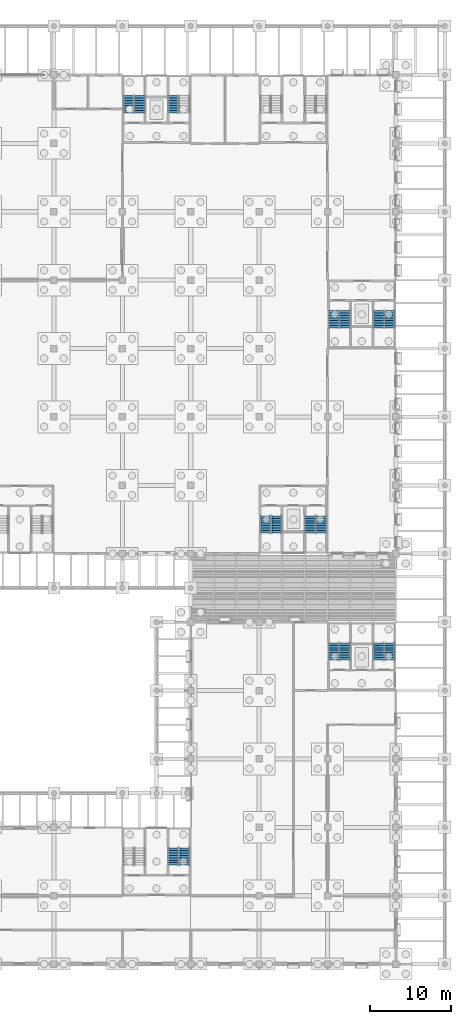
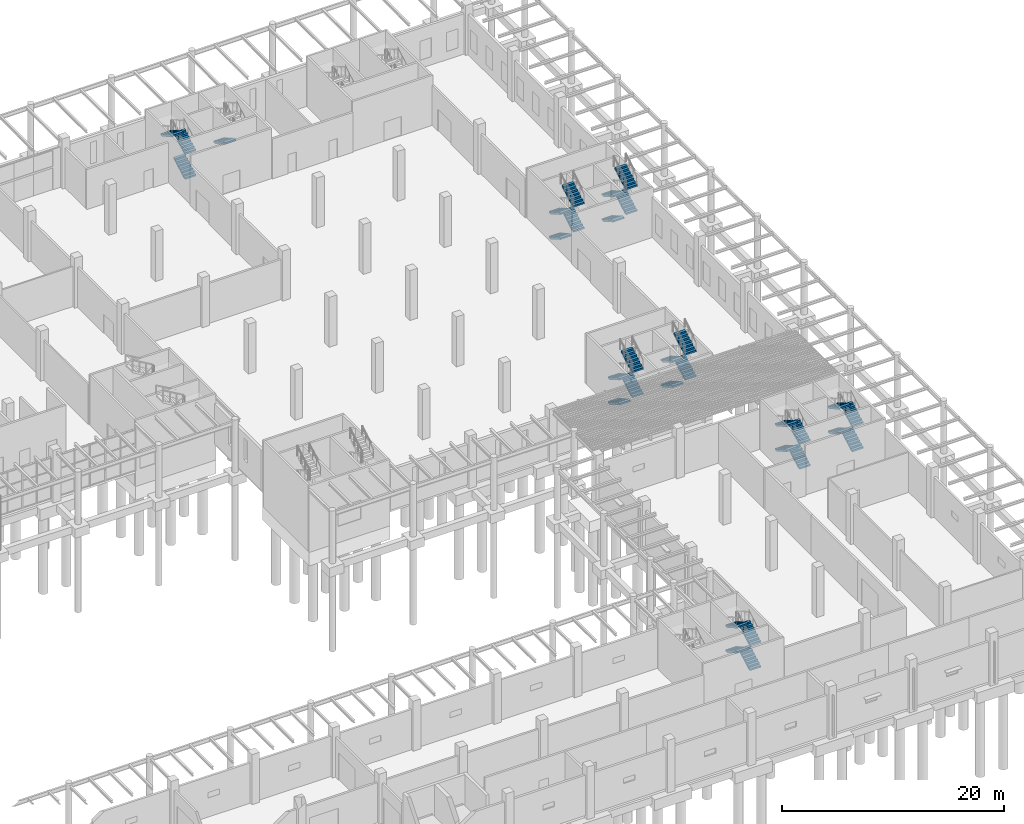
# One storey, part 47 of 82: 32 stair flights, 9 elements without a shape of their own.
"""IFC4 building model written with IfcOpenShell, lengths in metres."""

import ifcopenshell
import ifcopenshell.guid

model = None  # the IFC model being written
_history = None  # IfcOwnerHistory: only IFC2X3 demands one
_inside = {}  # id of a spatial element -> (the spatial element, [elements in it])
_under = {}  # id of a project, library or spatial element -> (it, [spatial elements below it])
_declared = {}  # id of a project -> (the project, [libraries it declares])
_typed = {}  # id of a type object -> (the type object, [elements of that type])
_made_of = {}  # id of a material, layer set ... -> (it, [elements and type objects made of it])


def new_model(schema):
    """Start an empty IFC model of exactly this schema.

    Asked for "IFC4X3", IfcOpenShell would pick the latest addendum, in which some entities
    have other attributes; the version numbers below select the first issue.
    IFC2X3 requires an IfcOwnerHistory on every rooted entity: one is made here for all.
    """
    global model, _history
    if schema == "IFC4X3":
        model = ifcopenshell.file(schema_version=(4, 3, 0, 0))
    else:
        model = ifcopenshell.file(schema=schema)
    _inside.clear()
    _under.clear()
    _declared.clear()
    _typed.clear()
    _made_of.clear()
    _history = None
    if model.schema == "IFC2X3":
        org = make("IfcOrganization", Name="unknown")
        user = make(
            "IfcPersonAndOrganization",
            ThePerson=make("IfcPerson", FamilyName="unknown"),
            TheOrganization=org,
        )
        app = make(
            "IfcApplication",
            ApplicationDeveloper=org,
            Version="unknown",
            ApplicationFullName="unknown",
            ApplicationIdentifier="unknown",
        )
        _history = make(
            "IfcOwnerHistory",
            OwningUser=user,
            OwningApplication=app,
            ChangeAction="ADDED",
            CreationDate=0,
        )
    return model


def make(cls, **values):
    """One entity of the class cls with the attributes given. An attribute that is None is left unset."""
    return model.create_entity(
        cls, **{name: value for name, value in values.items() if value is not None}
    )


def rooted(cls, **values):
    """An entity with a GlobalId (a new one), such as an element, a storey or a relation."""
    return make(cls, GlobalId=ifcopenshell.guid.new(), OwnerHistory=_history, **values)


def si_unit(unit_type, name, prefix=None):
    """IfcSIUnit, for example si_unit("LENGTHUNIT", "METRE", prefix="MILLI")."""
    return make("IfcSIUnit", UnitType=unit_type, Prefix=prefix, Name=name)


def assignment(units):
    """IfcUnitAssignment: the units of a project."""
    return None if units is None else make("IfcUnitAssignment", Units=units)


def point(xyz):
    """IfcCartesianPoint."""
    return None if xyz is None else make("IfcCartesianPoint", Coordinates=xyz)


def direction(xyz):
    """IfcDirection."""
    return None if xyz is None else make("IfcDirection", DirectionRatios=xyz)


def frame(location, z_axis=None, x_axis=None):
    """IfcAxis2Placement3D, a coordinate frame: its origin and axes. An axis left out is left unset."""
    return make(
        "IfcAxis2Placement3D",
        Location=point(location),
        Axis=direction(z_axis),
        RefDirection=direction(x_axis),
    )


def origin():
    """The frame at (0, 0, 0) with its axes left unset."""
    return frame((0.0, 0.0, 0.0))


def place(relative_to, where):
    """IfcLocalPlacement: puts the frame where relative to a parent placement (None: the world)."""
    return make(
        "IfcLocalPlacement", PlacementRelTo=relative_to, RelativePlacement=where
    )


def context(
    kind, dimensions, precision=None, world=None, true_north=None, identifier=None
):
    """IfcGeometricRepresentationContext, for example the 3D "Model" context."""
    return make(
        "IfcGeometricRepresentationContext",
        ContextIdentifier=identifier,
        ContextType=kind,
        CoordinateSpaceDimension=dimensions,
        Precision=precision,
        WorldCoordinateSystem=world,
        TrueNorth=true_north,
    )


def subcontext(parent, identifier, kind, view, scale=None):
    """IfcGeometricRepresentationSubContext, for example "Body" below "Model"."""
    return make(
        "IfcGeometricRepresentationSubContext",
        ContextIdentifier=identifier,
        ContextType=kind,
        ParentContext=parent,
        TargetScale=scale,
        TargetView=view,
    )


def project(units=None, contexts=None):
    """IfcProject with its units and contexts."""
    return rooted(
        "IfcProject",
        Name="project",
        RepresentationContexts=contexts,
        UnitsInContext=assignment(units),
    )


def spatial(cls, under=None, at=None, **own):
    """A site, building, storey or space (cls), placed at a placement, below another one or the project."""
    s = rooted(cls, ObjectPlacement=at, **own)
    if under is not None:
        _under.setdefault(under.id(), (under, []))[1].append(s)
    return s


def polyline(points):
    """IfcPolyline through the points."""
    return make("IfcPolyline", Points=[point(p) for p in points])


def outline(outer, holes=None, kind="AREA"):
    """IfcArbitraryClosedProfileDef: a profile drawn as a closed curve; with holes, ...WithVoids."""
    if holes is None:
        return make("IfcArbitraryClosedProfileDef", ProfileType=kind, OuterCurve=outer)
    return make(
        "IfcArbitraryProfileDefWithVoids",
        ProfileType=kind,
        OuterCurve=outer,
        InnerCurves=holes,
    )


def extrude(swept, where, along, depth):
    """IfcExtrudedAreaSolid: the profile swept, set in the frame where, extruded along a direction by depth."""
    return make(
        "IfcExtrudedAreaSolid",
        SweptArea=swept,
        Position=where,
        ExtrudedDirection=direction(along),
        Depth=depth,
    )


def shape(context_of_items, identifier, shape_type, items):
    """IfcShapeRepresentation: the items that make up one representation, for example the "Body"."""
    return make(
        "IfcShapeRepresentation",
        ContextOfItems=context_of_items,
        RepresentationIdentifier=identifier,
        RepresentationType=shape_type,
        Items=items,
    )


def material(Name=None, Category=None):
    """IfcMaterial."""
    return make("IfcMaterial", Name=Name, Category=Category)


def made_of(thing, what):
    """Note that an element or type object is made of a material, layer set ...; save() writes the relation."""
    if what is not None:
        _made_of.setdefault(what.id(), (what, []))[1].append(thing)
    return thing


def type_object(cls, material=None, **own):
    """A type object (cls), such as IfcWallType, which elements share."""
    return made_of(rooted(cls, **own), material)


def element(
    cls,
    number,
    at=None,
    inside=None,
    cuts=None,
    type_object=None,
    material=None,
    context=None,
    identifier="Body",
    shape_type=None,
    held_by="IfcProductDefinitionShape",
    body=None,
    shapes=None,
    **own,
):
    """One element of the class cls, such as IfcWall. Its Tag is "e" and its number.

    at: its placement. inside: the storey or other place that contains it. cuts: it is an
    opening in that element (IfcRelVoidsElement). A single representation is given by context,
    identifier, shape_type and body (its items); several are given by shapes. held_by: the class
    of the entity that holds the representations. save() writes the other relations.
    """
    e = rooted(cls, Tag="e%d" % number, ObjectPlacement=at, **own)
    if body is not None:
        shapes = [shape(context, identifier, shape_type, body)]
    if shapes is not None:
        e.Representation = make(held_by, Representations=shapes)
    if inside is not None:
        _inside.setdefault(inside.id(), (inside, []))[1].append(e)
    if cuts is not None:
        rooted(
            "IfcRelVoidsElement", RelatingBuildingElement=cuts, RelatedOpeningElement=e
        )
    if type_object is not None:
        _typed.setdefault(type_object.id(), (type_object, []))[1].append(e)
    return made_of(e, material)


def aggregate(whole, parts):
    """IfcRelAggregates: a whole, such as a stair, and the parts it consists of."""
    return rooted("IfcRelAggregates", RelatingObject=whole, RelatedObjects=parts)


def save(model, path):
    """Write the relations noted so far, then the file.

    IfcRelAggregates (storeys below a building ...), IfcRelContainedInSpatialStructure (elements
    in a storey), IfcRelDefinesByType, IfcRelAssociatesMaterial and IfcRelDeclares: one each for
    every whole, place, type object, material and project.
    """
    for whole, parts in _under.values():
        aggregate(whole, parts)
    for where, things in _inside.values():
        rooted(
            "IfcRelContainedInSpatialStructure",
            RelatedElements=things,
            RelatingStructure=where,
        )
    for kind, things in _typed.values():
        rooted("IfcRelDefinesByType", RelatedObjects=things, RelatingType=kind)
    for what, things in _made_of.values():
        rooted("IfcRelAssociatesMaterial", RelatedObjects=things, RelatingMaterial=what)
    for by, libraries in _declared.values():
        rooted("IfcRelDeclares", RelatingContext=by, RelatedDefinitions=libraries)
    model.write(path)


model = new_model("IFC4")

# Units and contexts
model_context = context("Model", 3, precision=1e-05, world=origin(), true_north=direction((0.0, 1.0)))
body_context = subcontext(model_context, "Body", "Model", "MODEL_VIEW")
ifc_project = project(units=[si_unit("LENGTHUNIT", "METRE"), si_unit("AREAUNIT", "SQUARE_METRE"), si_unit("VOLUMEUNIT", "CUBIC_METRE"), si_unit("PLANEANGLEUNIT", "RADIAN"), si_unit("MASSUNIT", "GRAM", prefix="KILO")], contexts=[model_context])

# Site, building, storey
site_placement = place(None, origin())
site = spatial("IfcSite", under=ifc_project, at=site_placement, CompositionType="ELEMENT")
building_placement = place(site_placement, origin())
building = spatial("IfcBuilding", under=site, at=building_placement, Name="Almond Square Museum", CompositionType="ELEMENT")
storey_placement = place(building_placement, origin())
storey = spatial("IfcBuildingStorey", under=building, at=storey_placement, Name="L00", CompositionType="ELEMENT", Elevation=0.0)

# Stair, stair flights
ifc_material_1 = material(Name="Concrete C40/50", Category="concrete")
stair_type = type_object("IfcStairType", Name="Exit stair 32 risers of 172 mm", PredefinedType="HALF_TURN_STAIR", material=ifc_material_1)
stair_1_placement = place(storey_placement, origin())
stair_1 = element("IfcStair", 1, at=stair_1_placement, inside=storey, type_object=stair_type, Name="L00 stair H2-1", PredefinedType="HALF_TURN_STAIR")
ifc_material_2 = material(Name="Concrete C40/50", Category="concrete")
stair_flight_type = type_object("IfcStairFlightType", Name="Concrete flight", PredefinedType="STRAIGHT", material=ifc_material_2)
stair_flight_1_placement = place(storey_placement, frame((141.175048828125, 55.050048828125, 0.0), z_axis=(0.0, 0.0, 1.0), x_axis=(0.0, -1.0, 0.0)))
stair_flight_1 = element("IfcStairFlight", 2, at=stair_flight_1_placement, type_object=stair_flight_type, Name="ST-03 flight 1", NumberOfRisers=8, NumberOfTreads=7, PredefinedType="STRAIGHT", RiserHeight=0.171875, TreadLength=0.3, context=body_context, shape_type="SweptSolid", body=[
    extrude(outline(polyline([(0.0, 0.0), (0.0, 0.171875), (0.300048828125, 0.171875), (0.300048828125, 0.34375), (0.60009765625, 0.34375), (0.60009765625, 0.515625), (0.89990234375, 0.515625), (0.89990234375, 0.6875), (1.199951171875, 0.6875), (1.199951171875, 0.859375), (1.5, 0.859375), (1.5, 1.03125), (1.800048828125, 1.03125), (1.800048828125, 1.203125), (2.10009765625, 1.203125), (2.10009765625, 1.375), (2.10009765625, 1.0302734375), (0.301513671875, 0.0), (0.0, 0.0)])), frame((0.0, 0.574951171875, 0.0), z_axis=(0.0, -1.0, 0.0), x_axis=(1.0, 0.0, 0.0)), (0.0, 0.0, 1.0), 1.14990234375),
])
stair_flight_2_placement = place(storey_placement, frame((142.52490234375, 52.949951171875, 1.375), z_axis=(0.0, 0.0, 1.0), x_axis=(0.0, 1.0, 0.0)))
stair_flight_2 = element("IfcStairFlight", 3, at=stair_flight_2_placement, type_object=stair_flight_type, Name="ST-03 flight 2", NumberOfRisers=8, NumberOfTreads=7, PredefinedType="STRAIGHT", RiserHeight=0.171875, TreadLength=0.3, context=body_context, shape_type="SweptSolid", body=[
    extrude(outline(polyline([(0.0, 0.0), (0.0, 0.171875), (0.300048828125, 0.171875), (0.300048828125, 0.34375), (0.60009765625, 0.34375), (0.60009765625, 0.515625), (0.89990234375, 0.515625), (0.89990234375, 0.6875), (1.199951171875, 0.6875), (1.199951171875, 0.859375), (1.5, 0.859375), (1.5, 1.03125), (1.800048828125, 1.03125), (1.800048828125, 1.203125), (2.10009765625, 1.203125), (2.10009765625, 1.375), (2.10009765625, 1.0302734375), (0.301513671875, 0.0), (0.0, 0.0)])), frame((0.0, 0.574951171875, 0.0), z_axis=(0.0, -1.0, 0.0), x_axis=(1.0, 0.0, 0.0)), (0.0, 0.0, 1.0), 1.14990234375),
])
stair_flight_3_placement = place(storey_placement, frame((141.175048828125, 55.050048828125, 2.75), z_axis=(0.0, 0.0, 1.0), x_axis=(0.0, -1.0, 0.0)))
stair_flight_3 = element("IfcStairFlight", 4, at=stair_flight_3_placement, type_object=stair_flight_type, Name="ST-03 flight 3", NumberOfRisers=8, NumberOfTreads=7, PredefinedType="STRAIGHT", RiserHeight=0.171875, TreadLength=0.3, context=body_context, shape_type="SweptSolid", body=[
    extrude(outline(polyline([(0.0, 0.0), (0.0, 0.171875), (0.300048828125, 0.171875), (0.300048828125, 0.34375), (0.60009765625, 0.34375), (0.60009765625, 0.515625), (0.89990234375, 0.515625), (0.89990234375, 0.6875), (1.199951171875, 0.6875), (1.199951171875, 0.859375), (1.5, 0.859375), (1.5, 1.03125), (1.800048828125, 1.03125), (1.800048828125, 1.203125), (2.10009765625, 1.203125), (2.10009765625, 1.375), (2.10009765625, 1.0302734375), (0.301513671875, 0.0), (0.0, 0.0)])), frame((0.0, 0.574951171875, 0.0), z_axis=(0.0, -1.0, 0.0), x_axis=(1.0, 0.0, 0.0)), (0.0, 0.0, 1.0), 1.14990234375),
])
stair_flight_4_placement = place(storey_placement, frame((142.52490234375, 52.949951171875, 4.125), z_axis=(0.0, 0.0, 1.0), x_axis=(0.0, 1.0, 0.0)))
stair_flight_4 = element("IfcStairFlight", 5, at=stair_flight_4_placement, type_object=stair_flight_type, Name="ST-03 flight 4", NumberOfRisers=8, NumberOfTreads=7, PredefinedType="STRAIGHT", RiserHeight=0.171875, TreadLength=0.3, context=body_context, shape_type="SweptSolid", body=[
    extrude(outline(polyline([(0.0, 0.0), (0.0, 0.171875), (0.300048828125, 0.171875), (0.300048828125, 0.34375), (0.60009765625, 0.34375), (0.60009765625, 0.515625), (0.89990234375, 0.515625), (0.89990234375, 0.6875), (1.199951171875, 0.6875), (1.199951171875, 0.859375), (1.5, 0.859375), (1.5, 1.03125), (1.800048828125, 1.03125), (1.800048828125, 1.203125), (2.10009765625, 1.203125), (2.10009765625, 1.375), (2.10009765625, 1.0302734375), (0.301513671875, 0.0), (0.0, 0.0)])), frame((0.0, 0.574951171875, 0.0), z_axis=(0.0, -1.0, 0.0), x_axis=(1.0, 0.0, 0.0)), (0.0, 0.0, 1.0), 1.14990234375),
])
aggregate(stair_1, [stair_flight_1, stair_flight_2, stair_flight_3, stair_flight_4])

stair_2_placement = place(storey_placement, origin())
stair_2 = element("IfcStair", 6, at=stair_2_placement, inside=storey, type_object=stair_type, Name="L00 stair H2-2", PredefinedType="HALF_TURN_STAIR")
stair_flight_5_placement = place(storey_placement, frame((146.675048828125, 55.050048828125, 0.0), z_axis=(0.0, 0.0, 1.0), x_axis=(0.0, -1.0, 0.0)))
stair_flight_5 = element("IfcStairFlight", 7, at=stair_flight_5_placement, type_object=stair_flight_type, Name="ST-04 flight 1", NumberOfRisers=8, NumberOfTreads=7, PredefinedType="STRAIGHT", RiserHeight=0.171875, TreadLength=0.3, context=body_context, shape_type="SweptSolid", body=[
    extrude(outline(polyline([(0.0, 0.0), (0.0, 0.171875), (0.300048828125, 0.171875), (0.300048828125, 0.34375), (0.60009765625, 0.34375), (0.60009765625, 0.515625), (0.89990234375, 0.515625), (0.89990234375, 0.6875), (1.199951171875, 0.6875), (1.199951171875, 0.859375), (1.5, 0.859375), (1.5, 1.03125), (1.800048828125, 1.03125), (1.800048828125, 1.203125), (2.10009765625, 1.203125), (2.10009765625, 1.375), (2.10009765625, 1.0302734375), (0.301513671875, 0.0), (0.0, 0.0)])), frame((0.0, 0.574951171875, 0.0), z_axis=(0.0, -1.0, 0.0), x_axis=(1.0, 0.0, 0.0)), (0.0, 0.0, 1.0), 1.14990234375),
])
stair_flight_6_placement = place(storey_placement, frame((148.02490234375, 52.949951171875, 1.375), z_axis=(0.0, 0.0, 1.0), x_axis=(0.0, 1.0, 0.0)))
stair_flight_6 = element("IfcStairFlight", 8, at=stair_flight_6_placement, type_object=stair_flight_type, Name="ST-04 flight 2", NumberOfRisers=8, NumberOfTreads=7, PredefinedType="STRAIGHT", RiserHeight=0.171875, TreadLength=0.3, context=body_context, shape_type="SweptSolid", body=[
    extrude(outline(polyline([(0.0, 0.0), (0.0, 0.171875), (0.300048828125, 0.171875), (0.300048828125, 0.34375), (0.60009765625, 0.34375), (0.60009765625, 0.515625), (0.89990234375, 0.515625), (0.89990234375, 0.6875), (1.199951171875, 0.6875), (1.199951171875, 0.859375), (1.5, 0.859375), (1.5, 1.03125), (1.800048828125, 1.03125), (1.800048828125, 1.203125), (2.10009765625, 1.203125), (2.10009765625, 1.375), (2.10009765625, 1.0302734375), (0.301513671875, 0.0), (0.0, 0.0)])), frame((0.0, 0.574951171875, 0.0), z_axis=(0.0, -1.0, 0.0), x_axis=(1.0, 0.0, 0.0)), (0.0, 0.0, 1.0), 1.14990234375),
])
stair_flight_7_placement = place(storey_placement, frame((146.675048828125, 55.050048828125, 2.75), z_axis=(0.0, 0.0, 1.0), x_axis=(0.0, -1.0, 0.0)))
stair_flight_7 = element("IfcStairFlight", 9, at=stair_flight_7_placement, type_object=stair_flight_type, Name="ST-04 flight 3", NumberOfRisers=8, NumberOfTreads=7, PredefinedType="STRAIGHT", RiserHeight=0.171875, TreadLength=0.3, context=body_context, shape_type="SweptSolid", body=[
    extrude(outline(polyline([(0.0, 0.0), (0.0, 0.171875), (0.300048828125, 0.171875), (0.300048828125, 0.34375), (0.60009765625, 0.34375), (0.60009765625, 0.515625), (0.89990234375, 0.515625), (0.89990234375, 0.6875), (1.199951171875, 0.6875), (1.199951171875, 0.859375), (1.5, 0.859375), (1.5, 1.03125), (1.800048828125, 1.03125), (1.800048828125, 1.203125), (2.10009765625, 1.203125), (2.10009765625, 1.375), (2.10009765625, 1.0302734375), (0.301513671875, 0.0), (0.0, 0.0)])), frame((0.0, 0.574951171875, 0.0), z_axis=(0.0, -1.0, 0.0), x_axis=(1.0, 0.0, 0.0)), (0.0, 0.0, 1.0), 1.14990234375),
])
stair_flight_8_placement = place(storey_placement, frame((148.02490234375, 52.949951171875, 4.125), z_axis=(0.0, 0.0, 1.0), x_axis=(0.0, 1.0, 0.0)))
stair_flight_8 = element("IfcStairFlight", 10, at=stair_flight_8_placement, type_object=stair_flight_type, Name="ST-04 flight 4", NumberOfRisers=8, NumberOfTreads=7, PredefinedType="STRAIGHT", RiserHeight=0.171875, TreadLength=0.3, context=body_context, shape_type="SweptSolid", body=[
    extrude(outline(polyline([(0.0, 0.0), (0.0, 0.171875), (0.300048828125, 0.171875), (0.300048828125, 0.34375), (0.60009765625, 0.34375), (0.60009765625, 0.515625), (0.89990234375, 0.515625), (0.89990234375, 0.6875), (1.199951171875, 0.6875), (1.199951171875, 0.859375), (1.5, 0.859375), (1.5, 1.03125), (1.800048828125, 1.03125), (1.800048828125, 1.203125), (2.10009765625, 1.203125), (2.10009765625, 1.375), (2.10009765625, 1.0302734375), (0.301513671875, 0.0), (0.0, 0.0)])), frame((0.0, 0.574951171875, 0.0), z_axis=(0.0, -1.0, 0.0), x_axis=(1.0, 0.0, 0.0)), (0.0, 0.0, 1.0), 1.14990234375),
])
aggregate(stair_2, [stair_flight_5, stair_flight_6, stair_flight_7, stair_flight_8])

stair_3_placement = place(storey_placement, origin())
stair_3 = element("IfcStair", 11, at=stair_3_placement, inside=storey, type_object=stair_type, Name="L00 stair H4-1", PredefinedType="HALF_TURN_STAIR")
stair_flight_9_placement = place(storey_placement, frame((125.72509765625, 104.550048828125, 0.0), z_axis=(0.0, 0.0, 1.0), x_axis=(0.0, 1.0, 0.0)))
stair_flight_9 = element("IfcStairFlight", 12, at=stair_flight_9_placement, type_object=stair_flight_type, Name="ST-07 flight 1", NumberOfRisers=8, NumberOfTreads=7, PredefinedType="STRAIGHT", RiserHeight=0.171875, TreadLength=0.3, context=body_context, shape_type="SweptSolid", body=[
    extrude(outline(polyline([(0.0, 0.0), (0.0, 0.171875), (0.300048828125, 0.171875), (0.300048828125, 0.34375), (0.60009765625, 0.34375), (0.60009765625, 0.515625), (0.89990234375, 0.515625), (0.89990234375, 0.6875), (1.199951171875, 0.6875), (1.199951171875, 0.859375), (1.5, 0.859375), (1.5, 1.03125), (1.800048828125, 1.03125), (1.800048828125, 1.203125), (2.10009765625, 1.203125), (2.10009765625, 1.375), (2.10009765625, 1.0302734375), (0.301513671875, 0.0), (0.0, 0.0)])), frame((0.0, 0.574951171875, 0.0), z_axis=(0.0, -1.0, 0.0), x_axis=(1.0, 0.0, 0.0)), (0.0, 0.0, 1.0), 1.14990234375),
])
stair_flight_10_placement = place(storey_placement, frame((125.72509765625, 104.550048828125, 2.75), z_axis=(0.0, 0.0, 1.0), x_axis=(0.0, 1.0, 0.0)))
stair_flight_10 = element("IfcStairFlight", 13, at=stair_flight_10_placement, type_object=stair_flight_type, Name="ST-07 flight 3", NumberOfRisers=8, NumberOfTreads=7, PredefinedType="STRAIGHT", RiserHeight=0.171875, TreadLength=0.3, context=body_context, shape_type="SweptSolid", body=[
    extrude(outline(polyline([(0.0, 0.0), (0.0, 0.171875), (0.300048828125, 0.171875), (0.300048828125, 0.34375), (0.60009765625, 0.34375), (0.60009765625, 0.515625), (0.89990234375, 0.515625), (0.89990234375, 0.6875), (1.199951171875, 0.6875), (1.199951171875, 0.859375), (1.5, 0.859375), (1.5, 1.03125), (1.800048828125, 1.03125), (1.800048828125, 1.203125), (2.10009765625, 1.203125), (2.10009765625, 1.375), (2.10009765625, 1.0302734375), (0.301513671875, 0.0), (0.0, 0.0)])), frame((0.0, 0.574951171875, 0.0), z_axis=(0.0, -1.0, 0.0), x_axis=(1.0, 0.0, 0.0)), (0.0, 0.0, 1.0), 1.14990234375),
])
stair_flight_11_placement = place(storey_placement, frame((124.375, 106.64990234375, 4.125), z_axis=(0.0, 0.0, 1.0), x_axis=(0.0, -1.0, 0.0)))
stair_flight_11 = element("IfcStairFlight", 14, at=stair_flight_11_placement, type_object=stair_flight_type, Name="ST-07 flight 4", NumberOfRisers=8, NumberOfTreads=7, PredefinedType="STRAIGHT", RiserHeight=0.171875, TreadLength=0.3, context=body_context, shape_type="SweptSolid", body=[
    extrude(outline(polyline([(0.0, 0.0), (0.0, 0.171875), (0.300048828125, 0.171875), (0.300048828125, 0.34375), (0.60009765625, 0.34375), (0.60009765625, 0.515625), (0.89990234375, 0.515625), (0.89990234375, 0.6875), (1.199951171875, 0.6875), (1.199951171875, 0.859375), (1.5, 0.859375), (1.5, 1.03125), (1.800048828125, 1.03125), (1.800048828125, 1.203125), (2.10009765625, 1.203125), (2.10009765625, 1.375), (2.10009765625, 1.0302734375), (0.301513671875, 0.0), (0.0, 0.0)])), frame((0.0, 0.574951171875, 0.0), z_axis=(0.0, -1.0, 0.0), x_axis=(1.0, 0.0, 0.0)), (0.0, 0.0, 1.0), 1.14990234375),
])
aggregate(stair_3, [stair_flight_9, stair_flight_10, stair_flight_11])

# Stair, stair flight
stair_4_placement = place(storey_placement, origin())
stair_4 = element("IfcStair", 15, at=stair_4_placement, inside=storey, type_object=stair_type, Name="L00 stair H4-2", PredefinedType="HALF_TURN_STAIR")
stair_flight_12_placement = place(storey_placement, frame((129.875, 106.64990234375, 1.375), z_axis=(0.0, 0.0, 1.0), x_axis=(0.0, -1.0, 0.0)))
stair_flight_12 = element("IfcStairFlight", 16, at=stair_flight_12_placement, type_object=stair_flight_type, Name="ST-08 flight 2", NumberOfRisers=8, NumberOfTreads=7, PredefinedType="STRAIGHT", RiserHeight=0.171875, TreadLength=0.3, context=body_context, shape_type="SweptSolid", body=[
    extrude(outline(polyline([(0.0, 0.0), (0.0, 0.171875), (0.300048828125, 0.171875), (0.300048828125, 0.34375), (0.60009765625, 0.34375), (0.60009765625, 0.515625), (0.89990234375, 0.515625), (0.89990234375, 0.6875), (1.199951171875, 0.6875), (1.199951171875, 0.859375), (1.5, 0.859375), (1.5, 1.03125), (1.800048828125, 1.03125), (1.800048828125, 1.203125), (2.10009765625, 1.203125), (2.10009765625, 1.375), (2.10009765625, 1.0302734375), (0.301513671875, 0.0), (0.0, 0.0)])), frame((0.0, 0.574951171875, 0.0), z_axis=(0.0, -1.0, 0.0), x_axis=(1.0, 0.0, 0.0)), (0.0, 0.0, 1.0), 1.14990234375),
])
aggregate(stair_4, [stair_flight_12])

# Stair, stair flights
stair_5_placement = place(storey_placement, origin())
stair_5 = element("IfcStair", 17, at=stair_5_placement, inside=storey, type_object=stair_type, Name="L00 stair E1-1", PredefinedType="HALF_TURN_STAIR")
stair_flight_13_placement = place(storey_placement, frame((149.574951171875, 80.25, 0.0), z_axis=(0.0, 0.0, 1.0), x_axis=(0.0, -1.0, 0.0)))
stair_flight_13 = element("IfcStairFlight", 18, at=stair_flight_13_placement, type_object=stair_flight_type, Name="ST-25 flight 1", NumberOfRisers=8, NumberOfTreads=7, PredefinedType="STRAIGHT", RiserHeight=0.171875, TreadLength=0.3, context=body_context, shape_type="SweptSolid", body=[
    extrude(outline(polyline([(0.0, 0.0), (0.0, 0.171875), (0.300048828125, 0.171875), (0.300048828125, 0.34375), (0.60009765625, 0.34375), (0.60009765625, 0.515625), (0.89990234375, 0.515625), (0.89990234375, 0.6875), (1.199951171875, 0.6875), (1.199951171875, 0.859375), (1.5, 0.859375), (1.5, 1.03125), (1.800048828125, 1.03125), (1.800048828125, 1.203125), (2.10009765625, 1.203125), (2.10009765625, 1.375), (2.10009765625, 1.0302734375), (0.301513671875, 0.0), (0.0, 0.0)])), frame((0.0, 0.574951171875, 0.0), z_axis=(0.0, -1.0, 0.0), x_axis=(1.0, 0.0, 0.0)), (0.0, 0.0, 1.0), 1.14990234375),
])
stair_flight_14_placement = place(storey_placement, frame((150.925048828125, 78.14990234375, 1.375), z_axis=(0.0, 0.0, 1.0), x_axis=(0.0, 1.0, 0.0)))
stair_flight_14 = element("IfcStairFlight", 19, at=stair_flight_14_placement, type_object=stair_flight_type, Name="ST-25 flight 2", NumberOfRisers=8, NumberOfTreads=7, PredefinedType="STRAIGHT", RiserHeight=0.171875, TreadLength=0.3, context=body_context, shape_type="SweptSolid", body=[
    extrude(outline(polyline([(0.0, 0.0), (0.0, 0.171875), (0.300048828125, 0.171875), (0.300048828125, 0.34375), (0.60009765625, 0.34375), (0.60009765625, 0.515625), (0.89990234375, 0.515625), (0.89990234375, 0.6875), (1.199951171875, 0.6875), (1.199951171875, 0.859375), (1.5, 0.859375), (1.5, 1.03125), (1.800048828125, 1.03125), (1.800048828125, 1.203125), (2.10009765625, 1.203125), (2.10009765625, 1.375), (2.10009765625, 1.0302734375), (0.301513671875, 0.0), (0.0, 0.0)])), frame((0.0, 0.574951171875, 0.0), z_axis=(0.0, -1.0, 0.0), x_axis=(1.0, 0.0, 0.0)), (0.0, 0.0, 1.0), 1.14990234375),
])
stair_flight_15_placement = place(storey_placement, frame((149.574951171875, 80.25, 2.75), z_axis=(0.0, 0.0, 1.0), x_axis=(0.0, -1.0, 0.0)))
stair_flight_15 = element("IfcStairFlight", 20, at=stair_flight_15_placement, type_object=stair_flight_type, Name="ST-25 flight 3", NumberOfRisers=8, NumberOfTreads=7, PredefinedType="STRAIGHT", RiserHeight=0.171875, TreadLength=0.3, context=body_context, shape_type="SweptSolid", body=[
    extrude(outline(polyline([(0.0, 0.0), (0.0, 0.171875), (0.300048828125, 0.171875), (0.300048828125, 0.34375), (0.60009765625, 0.34375), (0.60009765625, 0.515625), (0.89990234375, 0.515625), (0.89990234375, 0.6875), (1.199951171875, 0.6875), (1.199951171875, 0.859375), (1.5, 0.859375), (1.5, 1.03125), (1.800048828125, 1.03125), (1.800048828125, 1.203125), (2.10009765625, 1.203125), (2.10009765625, 1.375), (2.10009765625, 1.0302734375), (0.301513671875, 0.0), (0.0, 0.0)])), frame((0.0, 0.574951171875, 0.0), z_axis=(0.0, -1.0, 0.0), x_axis=(1.0, 0.0, 0.0)), (0.0, 0.0, 1.0), 1.14990234375),
])
stair_flight_16_placement = place(storey_placement, frame((150.925048828125, 78.14990234375, 4.125), z_axis=(0.0, 0.0, 1.0), x_axis=(0.0, 1.0, 0.0)))
stair_flight_16 = element("IfcStairFlight", 21, at=stair_flight_16_placement, type_object=stair_flight_type, Name="ST-25 flight 4", NumberOfRisers=8, NumberOfTreads=7, PredefinedType="STRAIGHT", RiserHeight=0.171875, TreadLength=0.3, context=body_context, shape_type="SweptSolid", body=[
    extrude(outline(polyline([(0.0, 0.0), (0.0, 0.171875), (0.300048828125, 0.171875), (0.300048828125, 0.34375), (0.60009765625, 0.34375), (0.60009765625, 0.515625), (0.89990234375, 0.515625), (0.89990234375, 0.6875), (1.199951171875, 0.6875), (1.199951171875, 0.859375), (1.5, 0.859375), (1.5, 1.03125), (1.800048828125, 1.03125), (1.800048828125, 1.203125), (2.10009765625, 1.203125), (2.10009765625, 1.375), (2.10009765625, 1.0302734375), (0.301513671875, 0.0), (0.0, 0.0)])), frame((0.0, 0.574951171875, 0.0), z_axis=(0.0, -1.0, 0.0), x_axis=(1.0, 0.0, 0.0)), (0.0, 0.0, 1.0), 1.14990234375),
])
aggregate(stair_5, [stair_flight_13, stair_flight_14, stair_flight_15, stair_flight_16])

stair_6_placement = place(storey_placement, origin())
stair_6 = element("IfcStair", 22, at=stair_6_placement, inside=storey, type_object=stair_type, Name="L00 stair E1-2", PredefinedType="HALF_TURN_STAIR")
stair_flight_17_placement = place(storey_placement, frame((155.074951171875, 80.25, 0.0), z_axis=(0.0, 0.0, 1.0), x_axis=(0.0, -1.0, 0.0)))
stair_flight_17 = element("IfcStairFlight", 23, at=stair_flight_17_placement, type_object=stair_flight_type, Name="ST-26 flight 1", NumberOfRisers=8, NumberOfTreads=7, PredefinedType="STRAIGHT", RiserHeight=0.171875, TreadLength=0.3, context=body_context, shape_type="SweptSolid", body=[
    extrude(outline(polyline([(0.0, 0.0), (0.0, 0.171875), (0.300048828125, 0.171875), (0.300048828125, 0.34375), (0.60009765625, 0.34375), (0.60009765625, 0.515625), (0.89990234375, 0.515625), (0.89990234375, 0.6875), (1.199951171875, 0.6875), (1.199951171875, 0.859375), (1.5, 0.859375), (1.5, 1.03125), (1.800048828125, 1.03125), (1.800048828125, 1.203125), (2.10009765625, 1.203125), (2.10009765625, 1.375), (2.10009765625, 1.0302734375), (0.301513671875, 0.0), (0.0, 0.0)])), frame((0.0, 0.574951171875, 0.0), z_axis=(0.0, -1.0, 0.0), x_axis=(1.0, 0.0, 0.0)), (0.0, 0.0, 1.0), 1.14990234375),
])
stair_flight_18_placement = place(storey_placement, frame((156.425048828125, 78.14990234375, 1.375), z_axis=(0.0, 0.0, 1.0), x_axis=(0.0, 1.0, 0.0)))
stair_flight_18 = element("IfcStairFlight", 24, at=stair_flight_18_placement, type_object=stair_flight_type, Name="ST-26 flight 2", NumberOfRisers=8, NumberOfTreads=7, PredefinedType="STRAIGHT", RiserHeight=0.171875, TreadLength=0.3, context=body_context, shape_type="SweptSolid", body=[
    extrude(outline(polyline([(0.0, 0.0), (0.0, 0.171875), (0.300048828125, 0.171875), (0.300048828125, 0.34375), (0.60009765625, 0.34375), (0.60009765625, 0.515625), (0.89990234375, 0.515625), (0.89990234375, 0.6875), (1.199951171875, 0.6875), (1.199951171875, 0.859375), (1.5, 0.859375), (1.5, 1.03125), (1.800048828125, 1.03125), (1.800048828125, 1.203125), (2.10009765625, 1.203125), (2.10009765625, 1.375), (2.10009765625, 1.0302734375), (0.301513671875, 0.0), (0.0, 0.0)])), frame((0.0, 0.574951171875, 0.0), z_axis=(0.0, -1.0, 0.0), x_axis=(1.0, 0.0, 0.0)), (0.0, 0.0, 1.0), 1.14990234375),
])
stair_flight_19_placement = place(storey_placement, frame((155.074951171875, 80.25, 2.75), z_axis=(0.0, 0.0, 1.0), x_axis=(0.0, -1.0, 0.0)))
stair_flight_19 = element("IfcStairFlight", 25, at=stair_flight_19_placement, type_object=stair_flight_type, Name="ST-26 flight 3", NumberOfRisers=8, NumberOfTreads=7, PredefinedType="STRAIGHT", RiserHeight=0.171875, TreadLength=0.3, context=body_context, shape_type="SweptSolid", body=[
    extrude(outline(polyline([(0.0, 0.0), (0.0, 0.171875), (0.300048828125, 0.171875), (0.300048828125, 0.34375), (0.60009765625, 0.34375), (0.60009765625, 0.515625), (0.89990234375, 0.515625), (0.89990234375, 0.6875), (1.199951171875, 0.6875), (1.199951171875, 0.859375), (1.5, 0.859375), (1.5, 1.03125), (1.800048828125, 1.03125), (1.800048828125, 1.203125), (2.10009765625, 1.203125), (2.10009765625, 1.375), (2.10009765625, 1.0302734375), (0.301513671875, 0.0), (0.0, 0.0)])), frame((0.0, 0.574951171875, 0.0), z_axis=(0.0, -1.0, 0.0), x_axis=(1.0, 0.0, 0.0)), (0.0, 0.0, 1.0), 1.14990234375),
])
stair_flight_20_placement = place(storey_placement, frame((156.425048828125, 78.14990234375, 4.125), z_axis=(0.0, 0.0, 1.0), x_axis=(0.0, 1.0, 0.0)))
stair_flight_20 = element("IfcStairFlight", 26, at=stair_flight_20_placement, type_object=stair_flight_type, Name="ST-26 flight 4", NumberOfRisers=8, NumberOfTreads=7, PredefinedType="STRAIGHT", RiserHeight=0.171875, TreadLength=0.3, context=body_context, shape_type="SweptSolid", body=[
    extrude(outline(polyline([(0.0, 0.0), (0.0, 0.171875), (0.300048828125, 0.171875), (0.300048828125, 0.34375), (0.60009765625, 0.34375), (0.60009765625, 0.515625), (0.89990234375, 0.515625), (0.89990234375, 0.6875), (1.199951171875, 0.6875), (1.199951171875, 0.859375), (1.5, 0.859375), (1.5, 1.03125), (1.800048828125, 1.03125), (1.800048828125, 1.203125), (2.10009765625, 1.203125), (2.10009765625, 1.375), (2.10009765625, 1.0302734375), (0.301513671875, 0.0), (0.0, 0.0)])), frame((0.0, 0.574951171875, 0.0), z_axis=(0.0, -1.0, 0.0), x_axis=(1.0, 0.0, 0.0)), (0.0, 0.0, 1.0), 1.14990234375),
])
aggregate(stair_6, [stair_flight_17, stair_flight_18, stair_flight_19, stair_flight_20])

stair_7_placement = place(storey_placement, origin())
stair_7 = element("IfcStair", 27, at=stair_7_placement, inside=storey, type_object=stair_type, Name="L00 stair S3-2", PredefinedType="HALF_TURN_STAIR")
stair_flight_21_placement = place(storey_placement, frame((131.22509765625, 12.14990234375, 0.0), z_axis=(0.0, 0.0, 1.0), x_axis=(0.0, 1.0, 0.0)))
stair_flight_21 = element("IfcStairFlight", 28, at=stair_flight_21_placement, type_object=stair_flight_type, Name="ST-32 flight 1", NumberOfRisers=8, NumberOfTreads=7, PredefinedType="STRAIGHT", RiserHeight=0.171875, TreadLength=0.3, context=body_context, shape_type="SweptSolid", body=[
    extrude(outline(polyline([(0.0, 0.0), (0.0, 0.171875), (0.300048828125, 0.171875), (0.300048828125, 0.34375), (0.60009765625, 0.34375), (0.60009765625, 0.515625), (0.89990234375, 0.515625), (0.89990234375, 0.6875), (1.199951171875, 0.6875), (1.199951171875, 0.859375), (1.5, 0.859375), (1.5, 1.03125), (1.800048828125, 1.03125), (1.800048828125, 1.203125), (2.10009765625, 1.203125), (2.10009765625, 1.375), (2.10009765625, 1.0302734375), (0.301513671875, 0.0), (0.0, 0.0)])), frame((0.0, 0.574951171875, 0.0), z_axis=(0.0, -1.0, 0.0), x_axis=(1.0, 0.0, 0.0)), (0.0, 0.0, 1.0), 1.14990234375),
])
stair_flight_22_placement = place(storey_placement, frame((129.875, 14.25, 1.375), z_axis=(0.0, 0.0, 1.0), x_axis=(0.0, -1.0, 0.0)))
stair_flight_22 = element("IfcStairFlight", 29, at=stair_flight_22_placement, type_object=stair_flight_type, Name="ST-32 flight 2", NumberOfRisers=8, NumberOfTreads=7, PredefinedType="STRAIGHT", RiserHeight=0.171875, TreadLength=0.3, context=body_context, shape_type="SweptSolid", body=[
    extrude(outline(polyline([(0.0, 0.0), (0.0, 0.171875), (0.300048828125, 0.171875), (0.300048828125, 0.34375), (0.60009765625, 0.34375), (0.60009765625, 0.515625), (0.89990234375, 0.515625), (0.89990234375, 0.6875), (1.199951171875, 0.6875), (1.199951171875, 0.859375), (1.5, 0.859375), (1.5, 1.03125), (1.800048828125, 1.03125), (1.800048828125, 1.203125), (2.10009765625, 1.203125), (2.10009765625, 1.375), (2.10009765625, 1.0302734375), (0.301513671875, 0.0), (0.0, 0.0)])), frame((0.0, 0.574951171875, 0.0), z_axis=(0.0, -1.0, 0.0), x_axis=(1.0, 0.0, 0.0)), (0.0, 0.0, 1.0), 1.14990234375),
])
stair_flight_23_placement = place(storey_placement, frame((131.22509765625, 12.14990234375, 2.75), z_axis=(0.0, 0.0, 1.0), x_axis=(0.0, 1.0, 0.0)))
stair_flight_23 = element("IfcStairFlight", 30, at=stair_flight_23_placement, type_object=stair_flight_type, Name="ST-32 flight 3", NumberOfRisers=8, NumberOfTreads=7, PredefinedType="STRAIGHT", RiserHeight=0.171875, TreadLength=0.3, context=body_context, shape_type="SweptSolid", body=[
    extrude(outline(polyline([(0.0, 0.0), (0.0, 0.171875), (0.300048828125, 0.171875), (0.300048828125, 0.34375), (0.60009765625, 0.34375), (0.60009765625, 0.515625), (0.89990234375, 0.515625), (0.89990234375, 0.6875), (1.199951171875, 0.6875), (1.199951171875, 0.859375), (1.5, 0.859375), (1.5, 1.03125), (1.800048828125, 1.03125), (1.800048828125, 1.203125), (2.10009765625, 1.203125), (2.10009765625, 1.375), (2.10009765625, 1.0302734375), (0.301513671875, 0.0), (0.0, 0.0)])), frame((0.0, 0.574951171875, 0.0), z_axis=(0.0, -1.0, 0.0), x_axis=(1.0, 0.0, 0.0)), (0.0, 0.0, 1.0), 1.14990234375),
])
stair_flight_24_placement = place(storey_placement, frame((129.875, 14.25, 4.125), z_axis=(0.0, 0.0, 1.0), x_axis=(0.0, -1.0, 0.0)))
stair_flight_24 = element("IfcStairFlight", 31, at=stair_flight_24_placement, type_object=stair_flight_type, Name="ST-32 flight 4", NumberOfRisers=8, NumberOfTreads=7, PredefinedType="STRAIGHT", RiserHeight=0.171875, TreadLength=0.3, context=body_context, shape_type="SweptSolid", body=[
    extrude(outline(polyline([(0.0, 0.0), (0.0, 0.171875), (0.300048828125, 0.171875), (0.300048828125, 0.34375), (0.60009765625, 0.34375), (0.60009765625, 0.515625), (0.89990234375, 0.515625), (0.89990234375, 0.6875), (1.199951171875, 0.6875), (1.199951171875, 0.859375), (1.5, 0.859375), (1.5, 1.03125), (1.800048828125, 1.03125), (1.800048828125, 1.203125), (2.10009765625, 1.203125), (2.10009765625, 1.375), (2.10009765625, 1.0302734375), (0.301513671875, 0.0), (0.0, 0.0)])), frame((0.0, 0.574951171875, 0.0), z_axis=(0.0, -1.0, 0.0), x_axis=(1.0, 0.0, 0.0)), (0.0, 0.0, 1.0), 1.14990234375),
])
aggregate(stair_7, [stair_flight_21, stair_flight_22, stair_flight_23, stair_flight_24])

stair_8_placement = place(storey_placement, origin())
stair_8 = element("IfcStair", 32, at=stair_8_placement, inside=storey, type_object=stair_type, Name="L00 stair X1-1", PredefinedType="HALF_TURN_STAIR")
stair_flight_25_placement = place(storey_placement, frame((150.925048828125, 37.35009765625, 0.0), z_axis=(0.0, 0.0, 1.0), x_axis=(0.0, 1.0, 0.0)))
stair_flight_25 = element("IfcStairFlight", 33, at=stair_flight_25_placement, type_object=stair_flight_type, Name="ST-33 flight 1", NumberOfRisers=8, NumberOfTreads=7, PredefinedType="STRAIGHT", RiserHeight=0.171875, TreadLength=0.3, context=body_context, shape_type="SweptSolid", body=[
    extrude(outline(polyline([(0.0, 0.0), (0.0, 0.171875), (0.300048828125, 0.171875), (0.300048828125, 0.34375), (0.60009765625, 0.34375), (0.60009765625, 0.515625), (0.89990234375, 0.515625), (0.89990234375, 0.6875), (1.199951171875, 0.6875), (1.199951171875, 0.859375), (1.5, 0.859375), (1.5, 1.03125), (1.800048828125, 1.03125), (1.800048828125, 1.203125), (2.10009765625, 1.203125), (2.10009765625, 1.375), (2.10009765625, 1.0302734375), (0.301513671875, 0.0), (0.0, 0.0)])), frame((0.0, 0.574951171875, 0.0), z_axis=(0.0, -1.0, 0.0), x_axis=(1.0, 0.0, 0.0)), (0.0, 0.0, 1.0), 1.14990234375),
])
stair_flight_26_placement = place(storey_placement, frame((149.574951171875, 39.449951171875, 1.375), z_axis=(0.0, 0.0, 1.0), x_axis=(0.0, -1.0, 0.0)))
stair_flight_26 = element("IfcStairFlight", 34, at=stair_flight_26_placement, type_object=stair_flight_type, Name="ST-33 flight 2", NumberOfRisers=8, NumberOfTreads=7, PredefinedType="STRAIGHT", RiserHeight=0.171875, TreadLength=0.3, context=body_context, shape_type="SweptSolid", body=[
    extrude(outline(polyline([(0.0, 0.0), (0.0, 0.171875), (0.300048828125, 0.171875), (0.300048828125, 0.34375), (0.60009765625, 0.34375), (0.60009765625, 0.515625), (0.89990234375, 0.515625), (0.89990234375, 0.6875), (1.199951171875, 0.6875), (1.199951171875, 0.859375), (1.5, 0.859375), (1.5, 1.03125), (1.800048828125, 1.03125), (1.800048828125, 1.203125), (2.10009765625, 1.203125), (2.10009765625, 1.375), (2.10009765625, 1.0302734375), (0.301513671875, 0.0), (0.0, 0.0)])), frame((0.0, 0.574951171875, 0.0), z_axis=(0.0, -1.0, 0.0), x_axis=(1.0, 0.0, 0.0)), (0.0, 0.0, 1.0), 1.14990234375),
])
stair_flight_27_placement = place(storey_placement, frame((150.925048828125, 37.35009765625, 2.75), z_axis=(0.0, 0.0, 1.0), x_axis=(0.0, 1.0, 0.0)))
stair_flight_27 = element("IfcStairFlight", 35, at=stair_flight_27_placement, type_object=stair_flight_type, Name="ST-33 flight 3", NumberOfRisers=8, NumberOfTreads=7, PredefinedType="STRAIGHT", RiserHeight=0.171875, TreadLength=0.3, context=body_context, shape_type="SweptSolid", body=[
    extrude(outline(polyline([(0.0, 0.0), (0.0, 0.171875), (0.300048828125, 0.171875), (0.300048828125, 0.34375), (0.60009765625, 0.34375), (0.60009765625, 0.515625), (0.89990234375, 0.515625), (0.89990234375, 0.6875), (1.199951171875, 0.6875), (1.199951171875, 0.859375), (1.5, 0.859375), (1.5, 1.03125), (1.800048828125, 1.03125), (1.800048828125, 1.203125), (2.10009765625, 1.203125), (2.10009765625, 1.375), (2.10009765625, 1.0302734375), (0.301513671875, 0.0), (0.0, 0.0)])), frame((0.0, 0.574951171875, 0.0), z_axis=(0.0, -1.0, 0.0), x_axis=(1.0, 0.0, 0.0)), (0.0, 0.0, 1.0), 1.14990234375),
])
stair_flight_28_placement = place(storey_placement, frame((149.574951171875, 39.449951171875, 4.125), z_axis=(0.0, 0.0, 1.0), x_axis=(0.0, -1.0, 0.0)))
stair_flight_28 = element("IfcStairFlight", 36, at=stair_flight_28_placement, type_object=stair_flight_type, Name="ST-33 flight 4", NumberOfRisers=8, NumberOfTreads=7, PredefinedType="STRAIGHT", RiserHeight=0.171875, TreadLength=0.3, context=body_context, shape_type="SweptSolid", body=[
    extrude(outline(polyline([(0.0, 0.0), (0.0, 0.171875), (0.300048828125, 0.171875), (0.300048828125, 0.34375), (0.60009765625, 0.34375), (0.60009765625, 0.515625), (0.89990234375, 0.515625), (0.89990234375, 0.6875), (1.199951171875, 0.6875), (1.199951171875, 0.859375), (1.5, 0.859375), (1.5, 1.03125), (1.800048828125, 1.03125), (1.800048828125, 1.203125), (2.10009765625, 1.203125), (2.10009765625, 1.375), (2.10009765625, 1.0302734375), (0.301513671875, 0.0), (0.0, 0.0)])), frame((0.0, 0.574951171875, 0.0), z_axis=(0.0, -1.0, 0.0), x_axis=(1.0, 0.0, 0.0)), (0.0, 0.0, 1.0), 1.14990234375),
])
aggregate(stair_8, [stair_flight_25, stair_flight_26, stair_flight_27, stair_flight_28])

stair_9_placement = place(storey_placement, origin())
stair_9 = element("IfcStair", 37, at=stair_9_placement, inside=storey, type_object=stair_type, Name="L00 stair X1-2", PredefinedType="HALF_TURN_STAIR")
stair_flight_29_placement = place(storey_placement, frame((156.425048828125, 37.35009765625, 0.0), z_axis=(0.0, 0.0, 1.0), x_axis=(0.0, 1.0, 0.0)))
stair_flight_29 = element("IfcStairFlight", 38, at=stair_flight_29_placement, type_object=stair_flight_type, Name="ST-34 flight 1", NumberOfRisers=8, NumberOfTreads=7, PredefinedType="STRAIGHT", RiserHeight=0.171875, TreadLength=0.3, context=body_context, shape_type="SweptSolid", body=[
    extrude(outline(polyline([(0.0, 0.0), (0.0, 0.171875), (0.300048828125, 0.171875), (0.300048828125, 0.34375), (0.60009765625, 0.34375), (0.60009765625, 0.515625), (0.89990234375, 0.515625), (0.89990234375, 0.6875), (1.199951171875, 0.6875), (1.199951171875, 0.859375), (1.5, 0.859375), (1.5, 1.03125), (1.800048828125, 1.03125), (1.800048828125, 1.203125), (2.10009765625, 1.203125), (2.10009765625, 1.375), (2.10009765625, 1.0302734375), (0.301513671875, 0.0), (0.0, 0.0)])), frame((0.0, 0.574951171875, 0.0), z_axis=(0.0, -1.0, 0.0), x_axis=(1.0, 0.0, 0.0)), (0.0, 0.0, 1.0), 1.14990234375),
])
stair_flight_30_placement = place(storey_placement, frame((155.074951171875, 39.449951171875, 1.375), z_axis=(0.0, 0.0, 1.0), x_axis=(0.0, -1.0, 0.0)))
stair_flight_30 = element("IfcStairFlight", 39, at=stair_flight_30_placement, type_object=stair_flight_type, Name="ST-34 flight 2", NumberOfRisers=8, NumberOfTreads=7, PredefinedType="STRAIGHT", RiserHeight=0.171875, TreadLength=0.3, context=body_context, shape_type="SweptSolid", body=[
    extrude(outline(polyline([(0.0, 0.0), (0.0, 0.171875), (0.300048828125, 0.171875), (0.300048828125, 0.34375), (0.60009765625, 0.34375), (0.60009765625, 0.515625), (0.89990234375, 0.515625), (0.89990234375, 0.6875), (1.199951171875, 0.6875), (1.199951171875, 0.859375), (1.5, 0.859375), (1.5, 1.03125), (1.800048828125, 1.03125), (1.800048828125, 1.203125), (2.10009765625, 1.203125), (2.10009765625, 1.375), (2.10009765625, 1.0302734375), (0.301513671875, 0.0), (0.0, 0.0)])), frame((0.0, 0.574951171875, 0.0), z_axis=(0.0, -1.0, 0.0), x_axis=(1.0, 0.0, 0.0)), (0.0, 0.0, 1.0), 1.14990234375),
])
stair_flight_31_placement = place(storey_placement, frame((156.425048828125, 37.35009765625, 2.75), z_axis=(0.0, 0.0, 1.0), x_axis=(0.0, 1.0, 0.0)))
stair_flight_31 = element("IfcStairFlight", 40, at=stair_flight_31_placement, type_object=stair_flight_type, Name="ST-34 flight 3", NumberOfRisers=8, NumberOfTreads=7, PredefinedType="STRAIGHT", RiserHeight=0.171875, TreadLength=0.3, context=body_context, shape_type="SweptSolid", body=[
    extrude(outline(polyline([(0.0, 0.0), (0.0, 0.171875), (0.300048828125, 0.171875), (0.300048828125, 0.34375), (0.60009765625, 0.34375), (0.60009765625, 0.515625), (0.89990234375, 0.515625), (0.89990234375, 0.6875), (1.199951171875, 0.6875), (1.199951171875, 0.859375), (1.5, 0.859375), (1.5, 1.03125), (1.800048828125, 1.03125), (1.800048828125, 1.203125), (2.10009765625, 1.203125), (2.10009765625, 1.375), (2.10009765625, 1.0302734375), (0.301513671875, 0.0), (0.0, 0.0)])), frame((0.0, 0.574951171875, 0.0), z_axis=(0.0, -1.0, 0.0), x_axis=(1.0, 0.0, 0.0)), (0.0, 0.0, 1.0), 1.14990234375),
])
stair_flight_32_placement = place(storey_placement, frame((155.074951171875, 39.449951171875, 4.125), z_axis=(0.0, 0.0, 1.0), x_axis=(0.0, -1.0, 0.0)))
stair_flight_32 = element("IfcStairFlight", 41, at=stair_flight_32_placement, type_object=stair_flight_type, Name="ST-34 flight 4", NumberOfRisers=8, NumberOfTreads=7, PredefinedType="STRAIGHT", RiserHeight=0.171875, TreadLength=0.3, context=body_context, shape_type="SweptSolid", body=[
    extrude(outline(polyline([(0.0, 0.0), (0.0, 0.171875), (0.300048828125, 0.171875), (0.300048828125, 0.34375), (0.60009765625, 0.34375), (0.60009765625, 0.515625), (0.89990234375, 0.515625), (0.89990234375, 0.6875), (1.199951171875, 0.6875), (1.199951171875, 0.859375), (1.5, 0.859375), (1.5, 1.03125), (1.800048828125, 1.03125), (1.800048828125, 1.203125), (2.10009765625, 1.203125), (2.10009765625, 1.375), (2.10009765625, 1.0302734375), (0.301513671875, 0.0), (0.0, 0.0)])), frame((0.0, 0.574951171875, 0.0), z_axis=(0.0, -1.0, 0.0), x_axis=(1.0, 0.0, 0.0)), (0.0, 0.0, 1.0), 1.14990234375),
])
aggregate(stair_9, [stair_flight_29, stair_flight_30, stair_flight_31, stair_flight_32])

save(model, "model.ifc")
